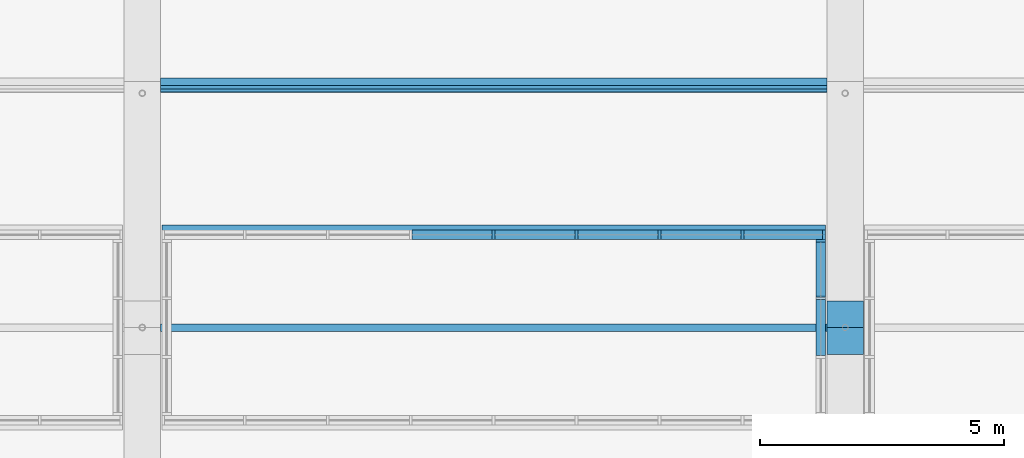
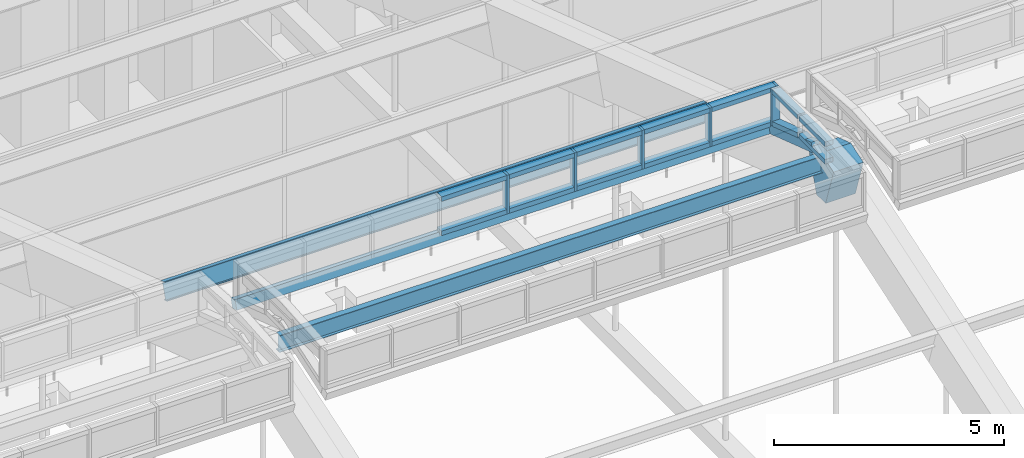
# One storey, part 52 of 149: 25 members, 2 elements without a shape of their own.
"""IFC4 building model written with IfcOpenShell, lengths in metres."""

from ifc_helpers import new_model, si_unit, direction, frame, origin, origin_2d, place, context, subcontext, project, spatial, polyline, rectangle, i_section, outline, extrude, material, material_profile, profile_set, type_object, element, aggregate, save


model = new_model("IFC4")

# Units and contexts
model_context = context("Model", 3, precision=1e-05, world=origin(), true_north=direction((0.0, 1.0)))
body_context = subcontext(model_context, "Body", "Model", "MODEL_VIEW")
ifc_project = project(units=[si_unit("LENGTHUNIT", "METRE"), si_unit("AREAUNIT", "SQUARE_METRE"), si_unit("VOLUMEUNIT", "CUBIC_METRE"), si_unit("PLANEANGLEUNIT", "RADIAN"), si_unit("MASSUNIT", "GRAM", prefix="KILO")], contexts=[model_context])

# Site, building, storey
site_placement = place(None, origin())
site = spatial("IfcSite", under=ifc_project, at=site_placement, CompositionType="ELEMENT")
building_placement = place(site_placement, origin())
building = spatial("IfcBuilding", under=site, at=building_placement, Name="Alderwick Market Hall", CompositionType="ELEMENT")
storey_placement = place(building_placement, frame((0.0, 0.0, 9.60009765625)))
storey = spatial("IfcBuildingStorey", under=building, at=storey_placement, Name="L01", CompositionType="ELEMENT", Elevation=9.60009765625)

# Curtain wall, members
ifc_material_1 = material(Name="Aluminium", Category="aluminium")
curtain_wall_type = type_object("IfcCurtainWallType", Name="R Curtain Wall Frame", PredefinedType="NOTDEFINED", material=ifc_material_1)
curtain_wall_1_placement = place(storey_placement, origin())
curtain_wall_1 = element("IfcCurtainWall", 1, at=curtain_wall_1_placement, inside=storey, type_object=curtain_wall_type, Name="Curtain wall LCW N3", PredefinedType="NOTDEFINED")
ifc_material_profile_1 = material_profile(ifc_material_1, rectangle(XDim=0.199951171875, YDim=0.06005859375, at=origin_2d()), Name="AL 60x200")
ifc_profile_set_1 = profile_set([ifc_material_profile_1], Name="Aluminium")
member_type_1 = type_object("IfcMemberType", Name="R CW Mullion 60x200", PredefinedType="MULLION", material=ifc_profile_set_1)
member_1_placement = place(storey_placement, frame((86.39990234375, 81.10009765625, 16.670166015625), z_axis=(0.0, 0.0, 1.0), x_axis=(0.0, 1.0, 0.0)))
member_1 = element("IfcMember", 2, at=member_1_placement, type_object=member_type_1, Name="LCW N3 mullion 5", PredefinedType="MULLION", context=body_context, shape_type="SweptSolid", body=[
    extrude(rectangle(XDim=0.199951171875, YDim=0.06005859375, at=origin_2d()), origin(), (0.0, 0.0, 1.0), 1.02978515625),
])
member_2_placement = place(storey_placement, frame((88.10009765625, 81.10009765625, 16.670166015625), z_axis=(0.0, 0.0, 1.0), x_axis=(0.0, 1.0, 0.0)))
member_2 = element("IfcMember", 3, at=member_2_placement, type_object=member_type_1, Name="LCW N3 mullion 6", PredefinedType="MULLION", context=body_context, shape_type="SweptSolid", body=[
    extrude(rectangle(XDim=0.199951171875, YDim=0.06005859375, at=origin_2d()), origin(), (0.0, 0.0, 1.0), 1.02978515625),
])
member_3_placement = place(storey_placement, frame((89.800048828125, 81.10009765625, 16.670166015625), z_axis=(0.0, 0.0, 1.0), x_axis=(0.0, 1.0, 0.0)))
member_3 = element("IfcMember", 4, at=member_3_placement, type_object=member_type_1, Name="LCW N3 mullion 7", PredefinedType="MULLION", context=body_context, shape_type="SweptSolid", body=[
    extrude(rectangle(XDim=0.199951171875, YDim=0.06005859375, at=origin_2d()), origin(), (0.0, 0.0, 1.0), 1.02978515625),
])
member_4_placement = place(storey_placement, frame((91.5, 81.10009765625, 16.670166015625), z_axis=(0.0, 0.0, 1.0), x_axis=(0.0, 1.0, 0.0)))
member_4 = element("IfcMember", 5, at=member_4_placement, type_object=member_type_1, Name="LCW N3 mullion 8", PredefinedType="MULLION", context=body_context, shape_type="SweptSolid", body=[
    extrude(rectangle(XDim=0.199951171875, YDim=0.06005859375, at=origin_2d()), origin(), (0.0, 0.0, 1.0), 1.02978515625),
])
member_5_placement = place(storey_placement, frame((93.169921875, 81.10009765625, 16.670166015625), z_axis=(0.0, 0.0, 1.0), x_axis=(0.0, 1.0, 0.0)))
member_5 = element("IfcMember", 6, at=member_5_placement, type_object=member_type_1, Name="LCW N3 mullion 9", PredefinedType="MULLION", context=body_context, shape_type="SweptSolid", body=[
    extrude(rectangle(XDim=0.199951171875, YDim=0.06005859375, at=origin_2d()), origin(), (0.0, 0.0, 1.0), 1.02978515625),
])

# Curtain wall, member
curtain_wall_2_placement = place(storey_placement, origin())
curtain_wall_2 = element("IfcCurtainWall", 7, at=curtain_wall_2_placement, inside=storey, type_object=curtain_wall_type, Name="Curtain wall LCW E3", PredefinedType="NOTDEFINED")
member_6_placement = place(storey_placement, frame((93.10009765625, 80.969970703125, 16.713623046875), z_axis=(0.0, 0.0, 1.0), x_axis=(1.0, 0.0, 0.0)))
member_6 = element("IfcMember", 8, at=member_6_placement, type_object=member_type_1, Name="LCW E3 mullion 4", PredefinedType="MULLION", context=body_context, shape_type="SweptSolid", body=[
    extrude(rectangle(XDim=0.199951171875, YDim=0.06005859375, at=origin_2d()), origin(), (0.0, 0.0, 1.0), 0.986328125),
])

# Member
ifc_material_profile_2 = material_profile(ifc_material_1, rectangle(XDim=0.199951171875, YDim=0.1201171875, at=origin_2d()), Name="AL 120x200")
ifc_profile_set_2 = profile_set([ifc_material_profile_2], Name="Aluminium")
member_type_2 = type_object("IfcMemberType", Name="R CW Transom 120x200", PredefinedType="USERDEFINED", material=ifc_profile_set_2)
member_7_placement = place(storey_placement, frame((84.72998046875, 81.10009765625, 16.730224609375), z_axis=(1.0, 0.0, 0.0), x_axis=(0.0, 1.0, 0.0)))
member_7 = element("IfcMember", 9, at=member_7_placement, type_object=member_type_2, Name="LCW N3 sill transom 4", ObjectType="TRANSOM", PredefinedType="USERDEFINED", context=body_context, shape_type="SweptSolid", body=[
    extrude(rectangle(XDim=0.199951171875, YDim=0.1201171875, at=origin_2d()), origin(), (0.0, 0.0, 1.0), 1.64013671875),
])

member_8_placement = place(storey_placement, frame((84.72998046875, 81.10009765625, 17.639892578125), z_axis=(1.0, 0.0, 0.0), x_axis=(0.0, 1.0, 0.0)))
member_8 = element("IfcMember", 10, at=member_8_placement, type_object=member_type_2, Name="LCW N3 head transom 4", ObjectType="TRANSOM", PredefinedType="USERDEFINED", context=body_context, shape_type="SweptSolid", body=[
    extrude(rectangle(XDim=0.199951171875, YDim=0.1201171875, at=origin_2d()), origin(), (0.0, 0.0, 1.0), 1.64013671875),
])

member_9_placement = place(storey_placement, frame((86.429931640625, 81.10009765625, 16.730224609375), z_axis=(1.0, 0.0, 0.0), x_axis=(0.0, 1.0, 0.0)))
member_9 = element("IfcMember", 11, at=member_9_placement, type_object=member_type_2, Name="LCW N3 sill transom 5", ObjectType="TRANSOM", PredefinedType="USERDEFINED", context=body_context, shape_type="SweptSolid", body=[
    extrude(rectangle(XDim=0.199951171875, YDim=0.1201171875, at=origin_2d()), origin(), (0.0, 0.0, 1.0), 1.64013671875),
])

member_10_placement = place(storey_placement, frame((86.429931640625, 81.10009765625, 17.639892578125), z_axis=(1.0, 0.0, 0.0), x_axis=(0.0, 1.0, 0.0)))
member_10 = element("IfcMember", 12, at=member_10_placement, type_object=member_type_2, Name="LCW N3 head transom 5", ObjectType="TRANSOM", PredefinedType="USERDEFINED", context=body_context, shape_type="SweptSolid", body=[
    extrude(rectangle(XDim=0.199951171875, YDim=0.1201171875, at=origin_2d()), origin(), (0.0, 0.0, 1.0), 1.64013671875),
])

member_11_placement = place(storey_placement, frame((88.1298828125, 81.10009765625, 16.730224609375), z_axis=(1.0, 0.0, 0.0), x_axis=(0.0, 1.0, 0.0)))
member_11 = element("IfcMember", 13, at=member_11_placement, type_object=member_type_2, Name="LCW N3 sill transom 6", ObjectType="TRANSOM", PredefinedType="USERDEFINED", context=body_context, shape_type="SweptSolid", body=[
    extrude(rectangle(XDim=0.199951171875, YDim=0.1201171875, at=origin_2d()), origin(), (0.0, 0.0, 1.0), 1.64013671875),
])

member_12_placement = place(storey_placement, frame((88.1298828125, 81.10009765625, 17.639892578125), z_axis=(1.0, 0.0, 0.0), x_axis=(0.0, 1.0, 0.0)))
member_12 = element("IfcMember", 14, at=member_12_placement, type_object=member_type_2, Name="LCW N3 head transom 6", ObjectType="TRANSOM", PredefinedType="USERDEFINED", context=body_context, shape_type="SweptSolid", body=[
    extrude(rectangle(XDim=0.199951171875, YDim=0.1201171875, at=origin_2d()), origin(), (0.0, 0.0, 1.0), 1.64013671875),
])

member_13_placement = place(storey_placement, frame((89.830078125, 81.10009765625, 16.730224609375), z_axis=(1.0, 0.0, 0.0), x_axis=(0.0, 1.0, 0.0)))
member_13 = element("IfcMember", 15, at=member_13_placement, type_object=member_type_2, Name="LCW N3 sill transom 7", ObjectType="TRANSOM", PredefinedType="USERDEFINED", context=body_context, shape_type="SweptSolid", body=[
    extrude(rectangle(XDim=0.199951171875, YDim=0.1201171875, at=origin_2d()), origin(), (0.0, 0.0, 1.0), 1.639892578125),
])

member_14_placement = place(storey_placement, frame((89.830078125, 81.10009765625, 17.639892578125), z_axis=(1.0, 0.0, 0.0), x_axis=(0.0, 1.0, 0.0)))
member_14 = element("IfcMember", 16, at=member_14_placement, type_object=member_type_2, Name="LCW N3 head transom 7", ObjectType="TRANSOM", PredefinedType="USERDEFINED", context=body_context, shape_type="SweptSolid", body=[
    extrude(rectangle(XDim=0.199951171875, YDim=0.1201171875, at=origin_2d()), origin(), (0.0, 0.0, 1.0), 1.639892578125),
])

member_15_placement = place(storey_placement, frame((91.530029296875, 81.10009765625, 16.730224609375), z_axis=(1.0, 0.0, 0.0), x_axis=(0.0, 1.0, 0.0)))
member_15 = element("IfcMember", 17, at=member_15_placement, type_object=member_type_2, Name="LCW N3 sill transom 8", ObjectType="TRANSOM", PredefinedType="USERDEFINED", context=body_context, shape_type="SweptSolid", body=[
    extrude(rectangle(XDim=0.199951171875, YDim=0.1201171875, at=origin_2d()), origin(), (0.0, 0.0, 1.0), 1.60986328125),
])

member_16_placement = place(storey_placement, frame((91.530029296875, 81.10009765625, 17.639892578125), z_axis=(1.0, 0.0, 0.0), x_axis=(0.0, 1.0, 0.0)))
member_16 = element("IfcMember", 18, at=member_16_placement, type_object=member_type_2, Name="LCW N3 head transom 8", ObjectType="TRANSOM", PredefinedType="USERDEFINED", context=body_context, shape_type="SweptSolid", body=[
    extrude(rectangle(XDim=0.199951171875, YDim=0.1201171875, at=origin_2d()), origin(), (0.0, 0.0, 1.0), 1.60986328125),
])

member_17_placement = place(storey_placement, frame((93.10009765625, 78.6298828125, 17.173583984375), z_axis=(0.0, 1.0, 0.0), x_axis=(-1.0, 0.0, 0.0)))
member_17 = element("IfcMember", 19, at=member_17_placement, type_object=member_type_2, Name="LCW E3 sill transom 2", ObjectType="TRANSOM", PredefinedType="USERDEFINED", context=body_context, shape_type="SweptSolid", body=[
    extrude(rectangle(XDim=0.199951171875, YDim=0.1201171875, at=origin_2d()), origin(), (0.0, 0.0, 1.0), 1.14013671875),
])

member_18_placement = place(storey_placement, frame((93.10009765625, 78.6298828125, 17.639892578125), z_axis=(0.0, 1.0, 0.0), x_axis=(-1.0, 0.0, 0.0)))
member_18 = element("IfcMember", 20, at=member_18_placement, type_object=member_type_2, Name="LCW E3 head transom 2", ObjectType="TRANSOM", PredefinedType="USERDEFINED", context=body_context, shape_type="SweptSolid", body=[
    extrude(rectangle(XDim=0.199951171875, YDim=0.1201171875, at=origin_2d()), origin(), (0.0, 0.0, 1.0), 1.14013671875),
])

member_19_placement = place(storey_placement, frame((93.10009765625, 79.830078125, 17.153564453125), z_axis=(0.0, 0.948641554568, -0.316352968923), x_axis=(-1.0, 0.0, 0.0)))
member_19 = element("IfcMember", 21, at=member_19_placement, type_object=member_type_2, Name="LCW E3 sill transom 3", ObjectType="TRANSOM", PredefinedType="USERDEFINED", context=body_context, shape_type="SweptSolid", body=[
    extrude(rectangle(XDim=0.199951171875, YDim=0.1201171875, at=origin_2d()), origin(), (0.0, 0.0, 1.0), 1.169921875),
])

member_20_placement = place(storey_placement, frame((93.10009765625, 79.830078125, 17.639892578125), z_axis=(0.0, 1.0, 0.0), x_axis=(-1.0, 0.0, 0.0)))
member_20 = element("IfcMember", 22, at=member_20_placement, type_object=member_type_2, Name="LCW E3 head transom 3", ObjectType="TRANSOM", PredefinedType="USERDEFINED", context=body_context, shape_type="SweptSolid", body=[
    extrude(rectangle(XDim=0.199951171875, YDim=0.1201171875, at=origin_2d()), origin(), (0.0, 0.0, 1.0), 1.10986328125),
])

ifc_material_2 = material(Name="Concrete 5000 psi (f'c 35 MPa)", Category="concrete")
ifc_material_profile_3 = material_profile(ifc_material_2, outline(polyline([(-0.199951171875, 0.0), (-0.5478515625, 1.04345703125), (0.0, 1.22607421875), (0.5478515625, 1.04345703125), (0.199951171875, 0.0), (-0.199951171875, 0.0)])), Name="RC crown knuckle")
ifc_profile_set_3 = profile_set([ifc_material_profile_3], Name="Concrete 5000 psi (f'c 35 MPa)")
member_type_3 = type_object("IfcMemberType", Name="R Crown Knuckle 750", PredefinedType="MEMBER", material=ifc_profile_set_3)
member_21_placement = place(storey_placement, frame((93.22509765625, 79.199951171875, 15.764404296875), z_axis=(1.0, 0.0, 0.0), x_axis=(0.0, 1.0, 0.0)))
element("IfcMember", 23, at=member_21_placement, inside=storey, type_object=member_type_3, Name="Crown knuckle 4", PredefinedType="MEMBER", context=body_context, shape_type="SweptSolid", body=[
    extrude(outline(polyline([(-0.199951171875, 0.0), (-0.5478515625, 1.04345703125), (0.0, 1.22607421875), (0.5478515625, 1.04345703125), (0.199951171875, 0.0), (-0.199951171875, 0.0)])), origin(), (0.0, 0.0, 1.0), 0.75),
])

ifc_material_3 = material(Name="Steel ASTM A572 Grade 50", Category="steel")
ifc_material_profile_4 = material_profile(ifc_material_3, rectangle(XDim=0.199951171875, YDim=0.25, at=origin_2d()), Name="Steel plate curb 200x250")
ifc_profile_set_4 = profile_set([ifc_material_profile_4], Name="Steel ASTM A572 Grade 50")
member_type_4 = type_object("IfcMemberType", Name="R Lantern Curb 200x250", PredefinedType="MEMBER", material=ifc_profile_set_4)
member_22_placement = place(storey_placement, frame((79.60009765625, 81.164794921875, 16.551513671875), z_axis=(1.0, 0.0, 0.0), x_axis=(0.0, 0.948683297073, -0.316227768949)))
member_22 = element("IfcMember", 24, at=member_22_placement, type_object=member_type_4, Name="Lantern curb N3", PredefinedType="MEMBER", context=body_context, shape_type="SweptSolid", body=[
    extrude(rectangle(XDim=0.199951171875, YDim=0.25, at=origin_2d()), origin(), (0.0, 0.0, 1.0), 13.599853515625),
])

aggregate(curtain_wall_1, [member_1, member_2, member_3, member_4, member_5, member_7, member_8, member_9, member_10, member_11, member_12, member_13, member_14, member_15, member_16, member_22])

member_23_placement = place(storey_placement, frame((93.10009765625, 79.199951171875, 17.20654296875), z_axis=(0.0, 0.948695716428, -0.316190508447), x_axis=(-1.0, 0.0, 0.0)))
member_23 = element("IfcMember", 25, at=member_23_placement, type_object=member_type_4, Name="Lantern end curb E3.2", PredefinedType="MEMBER", context=body_context, shape_type="SweptSolid", body=[
    extrude(rectangle(XDim=0.199951171875, YDim=0.25, at=origin_2d()), origin(), (0.0, 0.0, 1.0), 1.9658203125),
])

aggregate(curtain_wall_2, [member_6, member_17, member_18, member_19, member_20, member_23])

# Members
ifc_material_4 = material(Name="Steel ASTM A992 Grade 50", Category="steel")
ifc_material_profile_5 = material_profile(ifc_material_4, i_section(OverallWidth=0.153076171875, OverallDepth=0.455078125, WebThickness=0.008056640625, FlangeThickness=0.01318359375, at=origin_2d()), Name="W18x40")
ifc_profile_set_5 = profile_set([ifc_material_profile_5], Name="Steel ASTM A992 Grade 50")
member_type_5 = type_object("IfcMemberType", Name="R Purlin W18x40", PredefinedType="PURLIN", material=ifc_profile_set_5)
for number, where, z_axis, x_axis, name in (
    (26, (79.574951171875, 79.199951171875, 16.7314453125), (1.0, 0.0, 0.0), (0.0, 1.0, 0.0), "Roof purlin 7.3"),
    (27, (79.574951171875, 84.163330078125, 15.08984375), (1.0, 0.0, 0.0), (0.0, 0.948683297073, -0.316227768949), "Roof purlin 8.3"),
):
    element("IfcMember", number, at=place(storey_placement, frame(where, z_axis=z_axis, x_axis=x_axis)), inside=storey, type_object=member_type_5, Name=name, PredefinedType="PURLIN", context=body_context, shape_type="SweptSolid", body=[
        extrude(i_section(OverallWidth=0.153076171875, OverallDepth=0.455078125, WebThickness=0.008056640625, FlangeThickness=0.01318359375, at=origin_2d()), origin(), (0.0, 0.0, 1.0), 13.650146484375),
    ])

save(model, "model.ifc")
